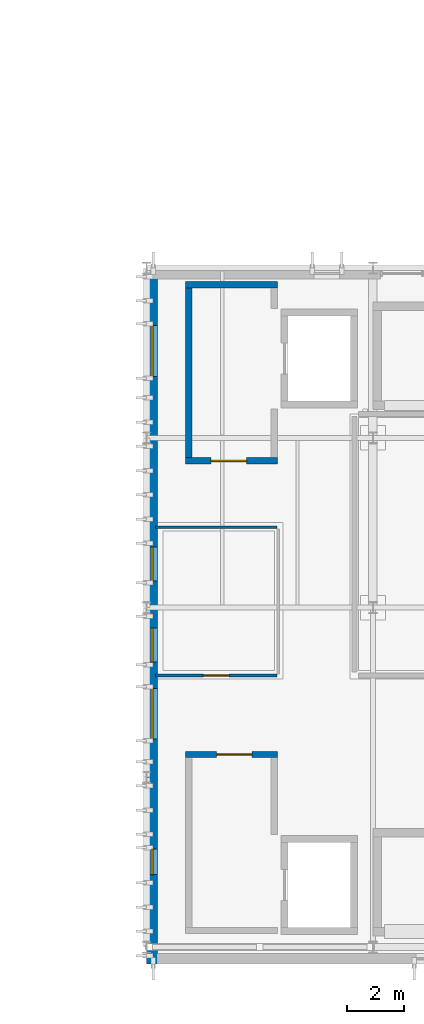
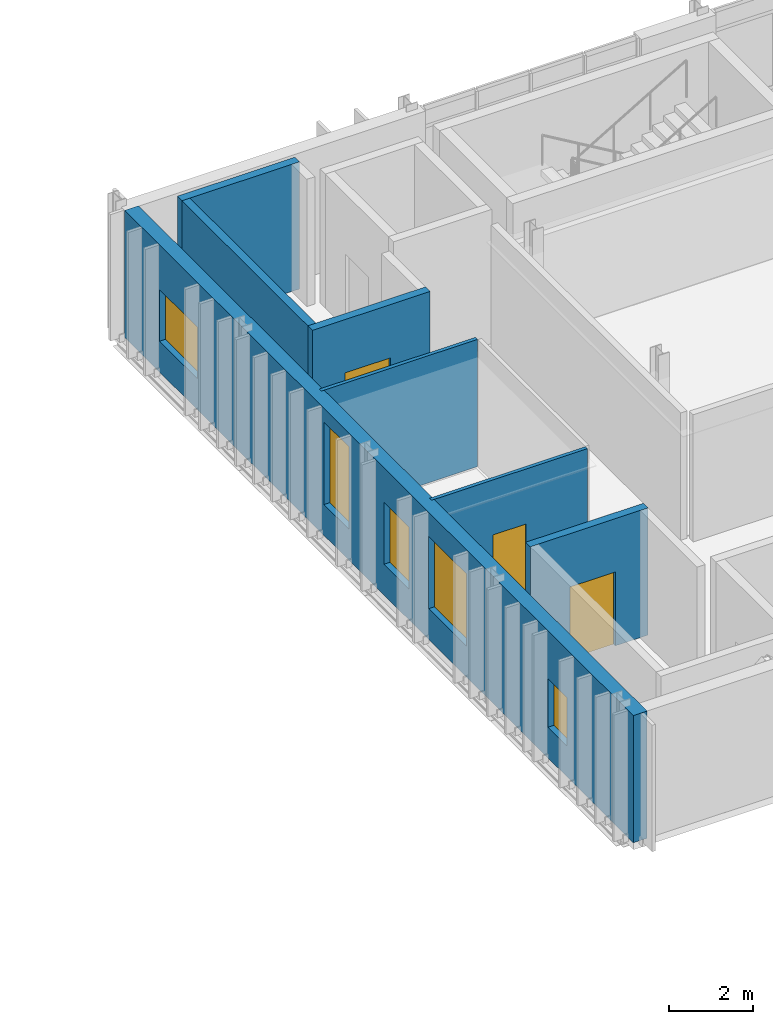
# One storey, part 8 of 14: 7 walls, 5 windows, 3 doors, 8 openings.
"""IFC4 building model written with IfcOpenShell, lengths in metres."""

from ifc_helpers import new_model, si_unit, direction, frame, frame_2d, origin, place, context, subcontext, project, spatial, rectangle, extrude, material, layer, layer_set, type_object, element, fill, save


model = new_model("IFC4")

# Units and contexts
model_context = context("Model", 3, precision=1e-05, world=origin(), true_north=direction((0.0, 1.0)))
body_context = subcontext(model_context, "Body", "Model", "MODEL_VIEW")
ifc_project = project(units=[si_unit("LENGTHUNIT", "METRE"), si_unit("AREAUNIT", "SQUARE_METRE"), si_unit("VOLUMEUNIT", "CUBIC_METRE"), si_unit("PLANEANGLEUNIT", "RADIAN"), si_unit("MASSUNIT", "GRAM", prefix="KILO")], contexts=[model_context])

# Site, building, storey
site_placement = place(None, origin())
site = spatial("IfcSite", under=ifc_project, at=site_placement, CompositionType="ELEMENT")
building_placement = place(site_placement, origin())
building = spatial("IfcBuilding", under=site, at=building_placement, Name="Cymarion Research Institute", CompositionType="ELEMENT")
storey_placement = place(building_placement, frame((0.0, 0.0, 34.5)))
storey = spatial("IfcBuildingStorey", under=building, at=storey_placement, Name="L08", CompositionType="ELEMENT", Elevation=34.5)

# Wall, openings, windows
ifc_material_1 = material(Name="Precast concrete C40/50", Category="concrete")
ifc_layer_1 = layer(ifc_material_1, 0.3798828125)
ifc_layer_set_1 = layer_set([ifc_layer_1], Name="Precast concrete C40/50")
wall_type_1 = type_object("IfcWallType", Name="EXTERIOR WALL EW-PC380 380MM", PredefinedType="SOLIDWALL", material=ifc_layer_set_1)
wall_1_placement = place(storey_placement, frame((138.7900390625, 29.137939453125, 0.0), z_axis=(0.0, 0.0, 1.0), x_axis=(0.0, -1.0, 0.0)))
wall_1 = element("IfcWall", 1, at=wall_1_placement, inside=storey, type_object=wall_type_1, Name="L08 V1 exterior wall EW-PC380 #309", PredefinedType="SOLIDWALL", context=body_context, shape_type="SweptSolid", body=[
    extrude(rectangle(XDim=24.238037109375, YDim=0.3798828125, at=frame_2d((12.119140625, 0.0))), origin(), (0.0, 0.0, 1.0), 3.699951171875),
])
opening_1_placement = place(wall_1_placement, frame((1.6640625, 0.0, 0.89990234375)))
opening_1 = element("IfcOpeningElement", 2, at=opening_1_placement, cuts=wall_1, Name="Opening W17", PredefinedType="OPENING", context=body_context, shape_type="SweptSolid", body=[
    extrude(rectangle(XDim=1.800048828125, YDim=1.5, at=frame_2d((0.89990234375, 0.75))), frame((0.0, 0.199951171875, 0.0), z_axis=(0.0, -1.0, 0.0), x_axis=(1.0, 0.0, 0.0)), (0.0, 0.0, 1.0), 0.39990234375),
])
opening_2_placement = place(wall_1_placement, frame((9.498046875, 0.0, 0.89990234375)))
opening_2 = element("IfcOpeningElement", 3, at=opening_2_placement, cuts=wall_1, Name="Opening W19", PredefinedType="OPENING", context=body_context, shape_type="SweptSolid", body=[
    extrude(rectangle(XDim=1.199951171875, YDim=2.39990234375, at=frame_2d((0.60009765625, 1.199951171875))), frame((0.0, 0.199951171875, 0.0), z_axis=(0.0, -1.0, 0.0), x_axis=(1.0, 0.0, 0.0)), (0.0, 0.0, 1.0), 0.39990234375),
])
opening_3_placement = place(wall_1_placement, frame((12.35791015625, 0.0, 0.89990234375)))
opening_3 = element("IfcOpeningElement", 4, at=opening_3_placement, cuts=wall_1, Name="Opening W01", PredefinedType="OPENING", context=body_context, shape_type="SweptSolid", body=[
    extrude(rectangle(XDim=1.199951171875, YDim=1.800048828125, at=frame_2d((0.60009765625, 0.89990234375))), frame((0.0, 0.199951171875, 0.0), z_axis=(0.0, -1.0, 0.0), x_axis=(1.0, 0.0, 0.0)), (0.0, 0.0, 1.0), 0.39990234375),
])
opening_4_placement = place(wall_1_placement, frame((14.488037109375, 0.0, 0.89990234375)))
opening_4 = element("IfcOpeningElement", 5, at=opening_4_placement, cuts=wall_1, Name="Opening W10", PredefinedType="OPENING", context=body_context, shape_type="SweptSolid", body=[
    extrude(rectangle(XDim=1.800048828125, YDim=2.10009765625, at=frame_2d((0.89990234375, 1.050048828125))), frame((0.0, 0.199951171875, 0.0), z_axis=(0.0, -1.0, 0.0), x_axis=(1.0, 0.0, 0.0)), (0.0, 0.0, 1.0), 0.39990234375),
])
opening_5_placement = place(wall_1_placement, frame((20.177978515625, 0.0, 0.89990234375)))
opening_5 = element("IfcOpeningElement", 6, at=opening_5_placement, cuts=wall_1, Name="Opening W25", PredefinedType="OPENING", context=body_context, shape_type="SweptSolid", body=[
    extrude(rectangle(XDim=0.89990234375, YDim=1.39990234375, at=frame_2d((0.449951171875, 0.699951171875))), frame((0.0, 0.199951171875, 0.0), z_axis=(0.0, -1.0, 0.0), x_axis=(1.0, 0.0, 0.0)), (0.0, 0.0, 1.0), 0.39990234375),
])
ifc_material_2 = material(Name="Thermally broken aluminium window with Low-E glazing", Category="aluminium")
window_type_1 = type_object("IfcWindowType", Name="THERMALLY BROKEN ALUMINIUM WINDOW W01 1200X1800", PartitioningType="SINGLE_PANEL", PredefinedType="WINDOW", material=ifc_material_2)
window_1_placement = place(opening_3_placement, origin())
window_1 = element("IfcWindow", 7, at=window_1_placement, inside=storey, type_object=window_type_1, Name="L08 V1 facade window W01 #543", OverallHeight=1.800048828125, OverallWidth=1.199951171875, PartitioningType="SINGLE_PANEL", PredefinedType="WINDOW", context=body_context, shape_type="SweptSolid", body=[
    extrude(rectangle(XDim=1.199951171875, YDim=1.800048828125, at=frame_2d((0.60009765625, 0.89990234375))), frame((0.0, 0.030029296875, 0.0), z_axis=(0.0, -1.0, 0.0), x_axis=(1.0, 0.0, 0.0)), (0.0, 0.0, 1.0), 0.06005859375),
])
fill(opening_3, window_1)
window_type_2 = type_object("IfcWindowType", Name="THERMALLY BROKEN ALUMINIUM WINDOW W10 1800X2100", PartitioningType="DOUBLE_PANEL_VERTICAL", PredefinedType="WINDOW", material=ifc_material_2)
window_2_placement = place(opening_4_placement, origin())
window_2 = element("IfcWindow", 8, at=window_2_placement, inside=storey, type_object=window_type_2, Name="L08 V1 facade window W10 #544", OverallHeight=2.10009765625, OverallWidth=1.800048828125, PartitioningType="SINGLE_PANEL", PredefinedType="WINDOW", context=body_context, shape_type="SweptSolid", body=[
    extrude(rectangle(XDim=1.800048828125, YDim=2.10009765625, at=frame_2d((0.89990234375, 1.050048828125))), frame((0.0, 0.030029296875, 0.0), z_axis=(0.0, -1.0, 0.0), x_axis=(1.0, 0.0, 0.0)), (0.0, 0.0, 1.0), 0.06005859375),
])
fill(opening_4, window_2)
window_type_3 = type_object("IfcWindowType", Name="THERMALLY BROKEN ALUMINIUM WINDOW W17 1800X1500", PartitioningType="DOUBLE_PANEL_HORIZONTAL", PredefinedType="WINDOW", material=ifc_material_2)
window_3_placement = place(opening_1_placement, origin())
window_3 = element("IfcWindow", 9, at=window_3_placement, inside=storey, type_object=window_type_3, Name="L08 V1 facade window W17 #541", OverallHeight=1.5, OverallWidth=1.800048828125, PartitioningType="SINGLE_PANEL", PredefinedType="WINDOW", context=body_context, shape_type="SweptSolid", body=[
    extrude(rectangle(XDim=1.800048828125, YDim=1.5, at=frame_2d((0.89990234375, 0.75))), frame((0.0, 0.030029296875, 0.0), z_axis=(0.0, -1.0, 0.0), x_axis=(1.0, 0.0, 0.0)), (0.0, 0.0, 1.0), 0.06005859375),
])
fill(opening_1, window_3)
window_type_4 = type_object("IfcWindowType", Name="THERMALLY BROKEN ALUMINIUM WINDOW W19 1200X2400", PartitioningType="SINGLE_PANEL", PredefinedType="WINDOW", material=ifc_material_2)
window_4_placement = place(opening_2_placement, origin())
window_4 = element("IfcWindow", 10, at=window_4_placement, inside=storey, type_object=window_type_4, Name="L08 V1 facade window W19 #542", OverallHeight=2.39990234375, OverallWidth=1.199951171875, PartitioningType="SINGLE_PANEL", PredefinedType="WINDOW", context=body_context, shape_type="SweptSolid", body=[
    extrude(rectangle(XDim=1.199951171875, YDim=2.39990234375, at=frame_2d((0.60009765625, 1.199951171875))), frame((0.0, 0.030029296875, 0.0), z_axis=(0.0, -1.0, 0.0), x_axis=(1.0, 0.0, 0.0)), (0.0, 0.0, 1.0), 0.06005859375),
])
fill(opening_2, window_4)
window_type_5 = type_object("IfcWindowType", Name="THERMALLY BROKEN ALUMINIUM WINDOW W25 900X1400", PartitioningType="SINGLE_PANEL", PredefinedType="WINDOW", material=ifc_material_2)
window_5_placement = place(opening_5_placement, origin())
window_5 = element("IfcWindow", 11, at=window_5_placement, inside=storey, type_object=window_type_5, Name="L08 V1 facade window W25 #545", OverallHeight=1.39990234375, OverallWidth=0.89990234375, PartitioningType="SINGLE_PANEL", PredefinedType="WINDOW", context=body_context, shape_type="SweptSolid", body=[
    extrude(rectangle(XDim=0.89990234375, YDim=1.39990234375, at=frame_2d((0.449951171875, 0.699951171875))), frame((0.0, 0.030029296875, 0.0), z_axis=(0.0, -1.0, 0.0), x_axis=(1.0, 0.0, 0.0)), (0.0, 0.0, 1.0), 0.06005859375),
])
fill(opening_5, window_5)

# Wall
ifc_material_3 = material(Name="Framed acoustic glass laboratory screen", Category="glass")
ifc_layer_2 = layer(ifc_material_3, 0.10009765625)
ifc_layer_set_2 = layer_set([ifc_layer_2], Name="Framed acoustic glass laboratory screen")
wall_type_2 = type_object("IfcWallType", Name="INTERIOR PARTITION IW-GL100 100MM", PredefinedType="PARTITIONING", material=ifc_layer_set_2)
wall_2_placement = place(storey_placement, frame((138.905029296875, 20.340087890625, 0.0), z_axis=(0.0, 0.0, 1.0), x_axis=(1.0, 0.0, 0.0)))
element("IfcWall", 12, at=wall_2_placement, inside=storey, type_object=wall_type_2, Name="L08 V1 interior partition IW-GL100 #397", PredefinedType="PARTITIONING", context=body_context, shape_type="SweptSolid", body=[
    extrude(rectangle(XDim=4.294921875, YDim=0.10009765625, at=frame_2d((2.1474609375, 0.0))), origin(), (0.0, 0.0, 1.0), 3.699951171875),
])

# Wall, opening, door
wall_3_placement = place(storey_placement, frame((138.905029296875, 15.10009765625, 0.0), z_axis=(0.0, 0.0, 1.0), x_axis=(1.0, 0.0, 0.0)))
wall_3 = element("IfcWall", 13, at=wall_3_placement, inside=storey, type_object=wall_type_2, Name="L08 V1 interior partition IW-GL100 #399", PredefinedType="PARTITIONING", context=body_context, shape_type="SweptSolid", body=[
    extrude(rectangle(XDim=4.294921875, YDim=0.10009765625, at=frame_2d((2.1474609375, 0.0))), origin(), (0.0, 0.0, 1.0), 3.699951171875),
])
opening_6_placement = place(wall_3_placement, frame((1.697998046875, 0.0, 0.0)))
opening_6 = element("IfcOpeningElement", 14, at=opening_6_placement, cuts=wall_3, Name="Opening D-L08-233", PredefinedType="OPENING", context=body_context, shape_type="SweptSolid", body=[
    extrude(rectangle(XDim=0.89990234375, YDim=2.10009765625, at=frame_2d((0.449951171875, 1.050048828125))), frame((0.0, 0.06005859375, 0.0), z_axis=(0.0, -1.0, 0.0), x_axis=(1.0, 0.0, 0.0)), (0.0, 0.0, 1.0), 0.1201171875),
])
ifc_material_4 = material(Name="Flush acoustic timber/steel door assembly", Category="steel")
door_type_1 = type_object("IfcDoorType", Name="RESEARCH WRITE-UP OFFICE DOOR DT-OF090 900X2100", OperationType="NOTDEFINED", PredefinedType="DOOR", material=ifc_material_4)
door_1_placement = place(opening_6_placement, origin())
door_1 = element("IfcDoor", 15, at=door_1_placement, inside=storey, type_object=door_type_1, Name="L08 West Write-up door D-L08-233", OperationType="SINGLE_SWING_RIGHT", OverallHeight=2.10009765625, OverallWidth=0.89990234375, PredefinedType="DOOR", context=body_context, shape_type="SweptSolid", body=[
    extrude(rectangle(XDim=0.89990234375, YDim=2.10009765625, at=frame_2d((0.449951171875, 1.050048828125))), frame((0.0, 0.02490234375, 0.0), z_axis=(0.0, -1.0, 0.0), x_axis=(1.0, 0.0, 0.0)), (0.0, 0.0, 1.0), 0.050048828125),
])
fill(opening_6, door_1)

ifc_material_5 = material(Name="Concrete C40/50", Category="concrete")
ifc_layer_3 = layer(ifc_material_5, 0.219970703125)
ifc_layer_set_3 = layer_set([ifc_layer_3], Name="Concrete C40/50")
wall_type_3 = type_object("IfcWallType", Name="REINFORCED CONCRETE CORE WALL CW-FF220 220MM", PredefinedType="SOLIDWALL", material=ifc_layer_set_3)
wall_4_placement = place(storey_placement, frame((143.219970703125, 12.31005859375, 0.0), z_axis=(0.0, 0.0, 1.0), x_axis=(-1.0, 0.0, 0.0)))
wall_4 = element("IfcWall", 16, at=wall_4_placement, inside=storey, type_object=wall_type_3, Name="L08 FFL-LF1-L08 north core wall", PredefinedType="SOLIDWALL", context=body_context, shape_type="SweptSolid", body=[
    extrude(rectangle(XDim=3.239990234375, YDim=0.219970703125, at=frame_2d((1.6201171875, 0.0))), origin(), (0.0, 0.0, 1.0), 3.699951171875),
])
opening_7_placement = place(wall_4_placement, frame((0.89990234375, 0.0, 0.0)))
opening_7 = element("IfcOpeningElement", 17, at=opening_7_placement, cuts=wall_4, Name="Opening FD-FFL-LF1-L08", PredefinedType="OPENING", context=body_context, shape_type="SweptSolid", body=[
    extrude(rectangle(XDim=1.25, YDim=2.14990234375, at=frame_2d((0.625, 1.074951171875))), frame((0.0, 0.119873046875, 0.0), z_axis=(0.0, -1.0, 0.0), x_axis=(1.0, 0.0, 0.0)), (0.0, 0.0, 1.0), 0.239990234375),
])
ifc_material_6 = material(Name="Fire-rated insulated steel door assembly", Category="steel")
door_type_2 = type_object("IfcDoorType", Name="FIREFIGHTING LOBBY DOOR DT-FF125 1250X2150", OperationType="NOTDEFINED", PredefinedType="DOOR", material=ifc_material_6)
door_2_placement = place(opening_7_placement, frame((1.25, 0.0, 0.0), z_axis=(0.0, 0.0, 1.0), x_axis=(-1.0, 0.0, 0.0)))
door_2 = element("IfcDoor", 18, at=door_2_placement, inside=storey, type_object=door_type_2, Name="L08 Firefighting lobby door FD-FFL-LF1-L08", OperationType="SINGLE_SWING_RIGHT", OverallHeight=2.14990234375, OverallWidth=1.25, PredefinedType="DOOR", context=body_context, shape_type="SweptSolid", body=[
    extrude(rectangle(XDim=1.25, YDim=2.14990234375, at=frame_2d((0.625, 1.074951171875))), frame((0.0, 0.02490234375, 0.0), z_axis=(0.0, -1.0, 0.0), x_axis=(1.0, 0.0, 0.0)), (0.0, 0.0, 1.0), 0.050048828125),
])
fill(opening_7, door_2)

wall_5_placement = place(storey_placement, frame((139.97998046875, 22.68994140625, 0.0), z_axis=(0.0, 0.0, 1.0), x_axis=(1.0, 0.0, 0.0)))
wall_5 = element("IfcWall", 19, at=wall_5_placement, inside=storey, type_object=wall_type_3, Name="L08 FFL-LF2-L08 south core wall", PredefinedType="SOLIDWALL", context=body_context, shape_type="SweptSolid", body=[
    extrude(rectangle(XDim=3.239990234375, YDim=0.219970703125, at=frame_2d((1.6201171875, 0.0))), origin(), (0.0, 0.0, 1.0), 3.699951171875),
])
opening_8_placement = place(wall_5_placement, frame((0.89990234375, 0.0, 0.0)))
opening_8 = element("IfcOpeningElement", 20, at=opening_8_placement, cuts=wall_5, Name="Opening FD-FFL-LF2-L08", PredefinedType="OPENING", context=body_context, shape_type="SweptSolid", body=[
    extrude(rectangle(XDim=1.25, YDim=2.14990234375, at=frame_2d((0.625, 1.074951171875))), frame((0.0, 0.119873046875, 0.0), z_axis=(0.0, -1.0, 0.0), x_axis=(1.0, 0.0, 0.0)), (0.0, 0.0, 1.0), 0.239990234375),
])
door_3_placement = place(opening_8_placement, frame((1.25, 0.0, 0.0), z_axis=(0.0, 0.0, 1.0), x_axis=(-1.0, 0.0, 0.0)))
door_3 = element("IfcDoor", 21, at=door_3_placement, inside=storey, type_object=door_type_2, Name="L08 Firefighting lobby door FD-FFL-LF2-L08", OperationType="SINGLE_SWING_RIGHT", OverallHeight=2.14990234375, OverallWidth=1.25, PredefinedType="DOOR", context=body_context, shape_type="SweptSolid", body=[
    extrude(rectangle(XDim=1.25, YDim=2.14990234375, at=frame_2d((0.625, 1.074951171875))), frame((0.0, 0.02490234375, 0.0), z_axis=(0.0, -1.0, 0.0), x_axis=(1.0, 0.0, 0.0)), (0.0, 0.0, 1.0), 0.050048828125),
])
fill(opening_8, door_3)

# Walls
wall_6_placement = place(storey_placement, frame((143.219970703125, 28.909912109375, 0.0), z_axis=(0.0, 0.0, 1.0), x_axis=(-1.0, 0.0, 0.0)))
element("IfcWall", 22, at=wall_6_placement, inside=storey, type_object=wall_type_3, Name="L08 FFL-LF2-L08 north core wall", PredefinedType="SOLIDWALL", context=body_context, shape_type="SweptSolid", body=[
    extrude(rectangle(XDim=3.239990234375, YDim=0.219970703125, at=frame_2d((1.6201171875, 0.0))), origin(), (0.0, 0.0, 1.0), 3.699951171875),
])
wall_7_placement = place(storey_placement, frame((140.090087890625, 28.800048828125, 0.0), z_axis=(0.0, 0.0, 1.0), x_axis=(0.0, -1.0, 0.0)))
element("IfcWall", 23, at=wall_7_placement, inside=storey, type_object=wall_type_3, Name="L08 FFL-LF2-L08 west core wall", PredefinedType="SOLIDWALL", context=body_context, shape_type="SweptSolid", body=[
    extrude(rectangle(XDim=6.0, YDim=0.219970703125, at=frame_2d((3.0, 0.0))), origin(), (0.0, 0.0, 1.0), 3.699951171875),
])

save(model, "model.ifc")
